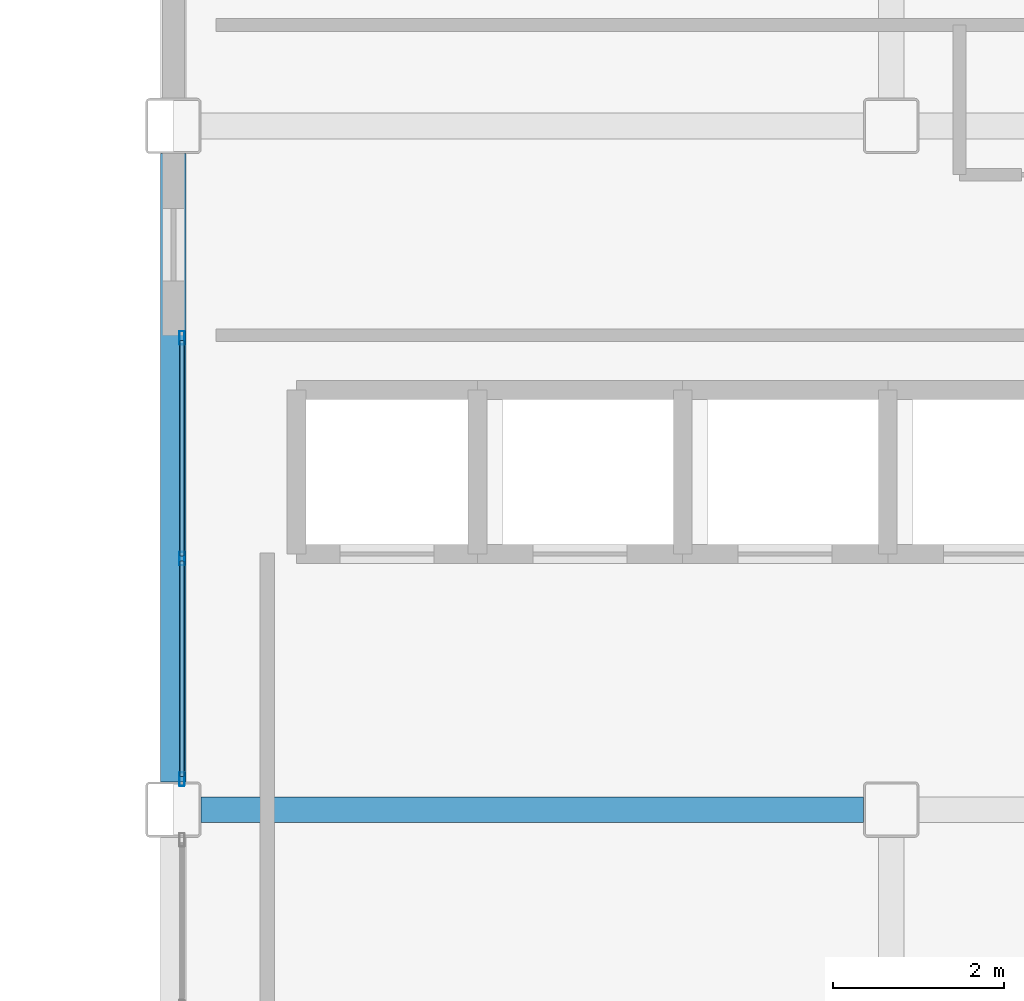
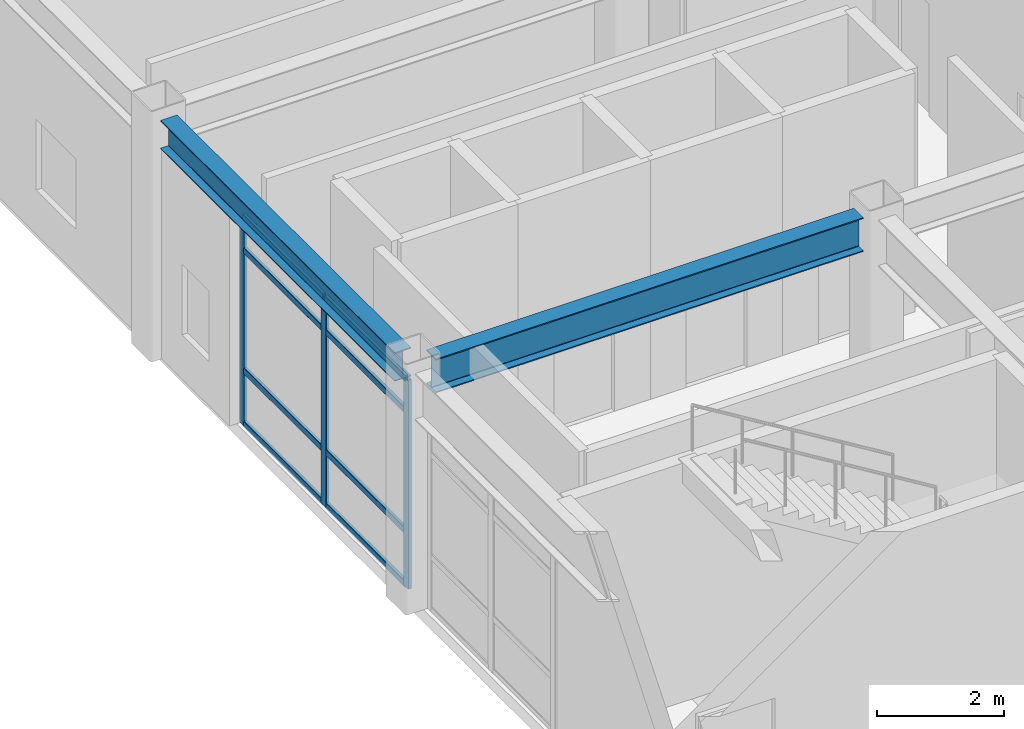
# One storey, part 29 of 61: 11 members, 2 beams, 1 element without a shape of its own.
"""IFC4 building model written with IfcOpenShell, lengths in metres."""

from ifc_helpers import new_model, si_unit, direction, frame, origin, origin_2d, place, context, subcontext, project, spatial, hollow_rectangle, i_section, extrude, material, layer, layer_set, material_profile, profile_set, type_object, element, aggregate, save


model = new_model("IFC4")

# Units and contexts
model_context = context("Model", 3, precision=1e-05, world=origin(), true_north=direction((0.0, 1.0)))
body_context = subcontext(model_context, "Body", "Model", "MODEL_VIEW")
ifc_project = project(units=[si_unit("LENGTHUNIT", "METRE"), si_unit("AREAUNIT", "SQUARE_METRE"), si_unit("VOLUMEUNIT", "CUBIC_METRE"), si_unit("PLANEANGLEUNIT", "RADIAN"), si_unit("MASSUNIT", "GRAM", prefix="KILO")], contexts=[model_context])

# Site, building, storey
site_placement = place(None, origin())
site = spatial("IfcSite", under=ifc_project, at=site_placement, CompositionType="ELEMENT")
building_placement = place(site_placement, origin())
building = spatial("IfcBuilding", under=site, at=building_placement, Name="Kazehara Bluff Congress Hotel", CompositionType="ELEMENT")
storey_placement = place(building_placement, frame((0.0, 0.0, 19.800048828125)))
storey = spatial("IfcBuildingStorey", under=building, at=storey_placement, Name="L04", CompositionType="ELEMENT", Elevation=19.800048828125)

# Curtain wall, members
ifc_material_1 = material(Name="Anodised aluminium", Category="aluminium")
ifc_layer = layer(ifc_material_1, 0.159912109375)
ifc_layer_set = layer_set([ifc_layer], Name="Anodised aluminium")
curtain_wall_type = type_object("IfcCurtainWallType", Name="TP-CW-170", PredefinedType="NOTDEFINED", material=ifc_layer_set)
curtain_wall_placement = place(storey_placement, origin())
curtain_wall = element("IfcCurtainWall", 1, at=curtain_wall_placement, inside=storey, type_object=curtain_wall_type, Name="L04 curtain wall CW-170 CW-ENC-V5-L04-14380-5939", PredefinedType="NOTDEFINED")
ifc_material_2 = material(Name="Anodised aluminium", Category="aluminium")
ifc_material_profile_1 = material_profile(ifc_material_2, hollow_rectangle(XDim=0.06005859375, YDim=0.159912109375, WallThickness=0.00390625, InnerFilletRadius=0.00390625, OuterFilletRadius=0.008056640625, at=origin_2d()))
ifc_profile_set_1 = profile_set([ifc_material_profile_1], Name="Anodised aluminium")
member_type_1 = type_object("IfcMemberType", Name="TP-CWM-01", PredefinedType="MULLION", material=ifc_profile_set_1)
member_1_placement = place(storey_placement, frame((143.800048828125, 56.804931640625, 0.0), z_axis=(0.0, 0.0, 1.0), x_axis=(-1.0, 0.0, 0.0)))
member_1 = element("IfcMember", 2, at=member_1_placement, type_object=member_type_1, Name="CW-170 mullion 1", PredefinedType="MULLION", context=body_context, shape_type="SweptSolid", body=[
    extrude(hollow_rectangle(XDim=0.06005859375, YDim=0.159912109375, WallThickness=0.00390625, InnerFilletRadius=0.00390625, OuterFilletRadius=0.008056640625, at=origin_2d()), origin(), (0.0, 0.0, 1.0), 4.0048828125),
])
member_2_placement = place(storey_placement, frame((143.800048828125, 59.387451171875, 0.0), z_axis=(0.0, 0.0, 1.0), x_axis=(-1.0, 0.0, 0.0)))
member_2 = element("IfcMember", 3, at=member_2_placement, type_object=member_type_1, Name="CW-170 mullion 2", PredefinedType="MULLION", context=body_context, shape_type="SweptSolid", body=[
    extrude(hollow_rectangle(XDim=0.06005859375, YDim=0.159912109375, WallThickness=0.00390625, InnerFilletRadius=0.00390625, OuterFilletRadius=0.008056640625, at=origin_2d()), origin(), (0.0, 0.0, 1.0), 4.0048828125),
])
member_3_placement = place(storey_placement, frame((143.800048828125, 61.969970703125, 0.0), z_axis=(0.0, 0.0, 1.0), x_axis=(-1.0, 0.0, 0.0)))
member_3 = element("IfcMember", 4, at=member_3_placement, type_object=member_type_1, Name="CW-170 mullion 3", PredefinedType="MULLION", context=body_context, shape_type="SweptSolid", body=[
    extrude(hollow_rectangle(XDim=0.06005859375, YDim=0.159912109375, WallThickness=0.00390625, InnerFilletRadius=0.00390625, OuterFilletRadius=0.008056640625, at=origin_2d()), origin(), (0.0, 0.0, 1.0), 4.0048828125),
])
ifc_material_3 = material(Name="Anodised aluminium", Category="aluminium")
ifc_material_profile_2 = material_profile(ifc_material_3, hollow_rectangle(XDim=0.06005859375, YDim=0.1201171875, WallThickness=0.00390625, InnerFilletRadius=0.00390625, OuterFilletRadius=0.008056640625, at=origin_2d()))
ifc_profile_set_2 = profile_set([ifc_material_profile_2], Name="Anodised aluminium")
member_type_2 = type_object("IfcMemberType", Name="TP-CWT-01", PredefinedType="USERDEFINED", material=ifc_profile_set_2)
member_4_placement = place(storey_placement, frame((143.800048828125, 56.8349609375, 0.030029296875), z_axis=(0.0, 1.0, 0.0), x_axis=(-1.0, 0.0, 0.0)))
member_4 = element("IfcMember", 5, at=member_4_placement, type_object=member_type_2, Name="CW-170 transom 1.1", ObjectType="TRANSOM", PredefinedType="USERDEFINED", context=body_context, shape_type="SweptSolid", body=[
    extrude(hollow_rectangle(XDim=0.06005859375, YDim=0.1201171875, WallThickness=0.00390625, InnerFilletRadius=0.00390625, OuterFilletRadius=0.008056640625, at=origin_2d()), origin(), (0.0, 0.0, 1.0), 2.5224609375),
])
member_5_placement = place(storey_placement, frame((143.800048828125, 56.8349609375, 1.050048828125), z_axis=(0.0, 1.0, 0.0), x_axis=(-1.0, 0.0, 0.0)))
member_5 = element("IfcMember", 6, at=member_5_placement, type_object=member_type_2, Name="CW-170 transom 1.2", ObjectType="TRANSOM", PredefinedType="USERDEFINED", context=body_context, shape_type="SweptSolid", body=[
    extrude(hollow_rectangle(XDim=0.06005859375, YDim=0.1201171875, WallThickness=0.00390625, InnerFilletRadius=0.00390625, OuterFilletRadius=0.008056640625, at=origin_2d()), origin(), (0.0, 0.0, 1.0), 2.5224609375),
])
member_6_placement = place(storey_placement, frame((143.800048828125, 56.8349609375, 3.35498046875), z_axis=(0.0, 1.0, 0.0), x_axis=(-1.0, 0.0, 0.0)))
member_6 = element("IfcMember", 7, at=member_6_placement, type_object=member_type_2, Name="CW-170 transom 1.3", ObjectType="TRANSOM", PredefinedType="USERDEFINED", context=body_context, shape_type="SweptSolid", body=[
    extrude(hollow_rectangle(XDim=0.06005859375, YDim=0.1201171875, WallThickness=0.00390625, InnerFilletRadius=0.00390625, OuterFilletRadius=0.008056640625, at=origin_2d()), origin(), (0.0, 0.0, 1.0), 2.5224609375),
])
member_7_placement = place(storey_placement, frame((143.800048828125, 56.8349609375, 3.974853515625), z_axis=(0.0, 1.0, 0.0), x_axis=(-1.0, 0.0, 0.0)))
member_7 = element("IfcMember", 8, at=member_7_placement, type_object=member_type_2, Name="CW-170 transom 1.4", ObjectType="TRANSOM", PredefinedType="USERDEFINED", context=body_context, shape_type="SweptSolid", body=[
    extrude(hollow_rectangle(XDim=0.06005859375, YDim=0.1201171875, WallThickness=0.00390625, InnerFilletRadius=0.00390625, OuterFilletRadius=0.008056640625, at=origin_2d()), origin(), (0.0, 0.0, 1.0), 2.5224609375),
])
member_8_placement = place(storey_placement, frame((143.800048828125, 59.41748046875, 0.030029296875), z_axis=(0.0, 1.0, 0.0), x_axis=(-1.0, 0.0, 0.0)))
member_8 = element("IfcMember", 9, at=member_8_placement, type_object=member_type_2, Name="CW-170 transom 2.1", ObjectType="TRANSOM", PredefinedType="USERDEFINED", context=body_context, shape_type="SweptSolid", body=[
    extrude(hollow_rectangle(XDim=0.06005859375, YDim=0.1201171875, WallThickness=0.00390625, InnerFilletRadius=0.00390625, OuterFilletRadius=0.008056640625, at=origin_2d()), origin(), (0.0, 0.0, 1.0), 2.5224609375),
])
member_9_placement = place(storey_placement, frame((143.800048828125, 59.41748046875, 1.050048828125), z_axis=(0.0, 1.0, 0.0), x_axis=(-1.0, 0.0, 0.0)))
member_9 = element("IfcMember", 10, at=member_9_placement, type_object=member_type_2, Name="CW-170 transom 2.2", ObjectType="TRANSOM", PredefinedType="USERDEFINED", context=body_context, shape_type="SweptSolid", body=[
    extrude(hollow_rectangle(XDim=0.06005859375, YDim=0.1201171875, WallThickness=0.00390625, InnerFilletRadius=0.00390625, OuterFilletRadius=0.008056640625, at=origin_2d()), origin(), (0.0, 0.0, 1.0), 2.5224609375),
])
member_10_placement = place(storey_placement, frame((143.800048828125, 59.41748046875, 3.35498046875), z_axis=(0.0, 1.0, 0.0), x_axis=(-1.0, 0.0, 0.0)))
member_10 = element("IfcMember", 11, at=member_10_placement, type_object=member_type_2, Name="CW-170 transom 2.3", ObjectType="TRANSOM", PredefinedType="USERDEFINED", context=body_context, shape_type="SweptSolid", body=[
    extrude(hollow_rectangle(XDim=0.06005859375, YDim=0.1201171875, WallThickness=0.00390625, InnerFilletRadius=0.00390625, OuterFilletRadius=0.008056640625, at=origin_2d()), origin(), (0.0, 0.0, 1.0), 2.5224609375),
])
member_11_placement = place(storey_placement, frame((143.800048828125, 59.41748046875, 3.974853515625), z_axis=(0.0, 1.0, 0.0), x_axis=(-1.0, 0.0, 0.0)))
member_11 = element("IfcMember", 12, at=member_11_placement, type_object=member_type_2, Name="CW-170 transom 2.4", ObjectType="TRANSOM", PredefinedType="USERDEFINED", context=body_context, shape_type="SweptSolid", body=[
    extrude(hollow_rectangle(XDim=0.06005859375, YDim=0.1201171875, WallThickness=0.00390625, InnerFilletRadius=0.00390625, OuterFilletRadius=0.008056640625, at=origin_2d()), origin(), (0.0, 0.0, 1.0), 2.5224609375),
])
aggregate(curtain_wall, [member_1, member_2, member_3, member_4, member_5, member_6, member_7, member_8, member_9, member_10, member_11])

# Beams
ifc_material_4 = material(Name="Steel SN490B", Category="steel")
ifc_material_profile_3 = material_profile(ifc_material_4, i_section(OverallWidth=0.300048828125, OverallDepth=0.64990234375, WebThickness=0.011962890625, FlangeThickness=0.02001953125, FilletRadius=0.012939453125, at=origin_2d()))
ifc_profile_set_3 = profile_set([ifc_material_profile_3], Name="Steel SN490B")
beam_type_1 = type_object("IfcBeamType", Name="TP-G-03", PredefinedType="BEAM", material=ifc_profile_set_3)
beam_1_placement = place(storey_placement, frame((144.02490234375, 56.449951171875, 4.2548828125), z_axis=(1.0, 0.0, 0.0), x_axis=(0.0, 1.0, 0.0)))
element("IfcBeam", 13, at=beam_1_placement, inside=storey, type_object=beam_type_1, Name="L04 girder G-03 97", PredefinedType="BEAM", context=body_context, shape_type="SweptSolid", body=[
    extrude(i_section(OverallWidth=0.300048828125, OverallDepth=0.64990234375, WebThickness=0.011962890625, FlangeThickness=0.02001953125, FilletRadius=0.012939453125, at=origin_2d()), origin(), (0.0, 0.0, 1.0), 7.75),
])
ifc_material_5 = material(Name="Steel SN490B", Category="steel")
ifc_material_profile_4 = material_profile(ifc_material_5, i_section(OverallWidth=0.300048828125, OverallDepth=0.550048828125, WebThickness=0.010986328125, FlangeThickness=0.01806640625, FilletRadius=0.012939453125, at=origin_2d()))
ifc_profile_set_4 = profile_set([ifc_material_profile_4], Name="Steel SN490B")
beam_type_2 = type_object("IfcBeamType", Name="TP-SP-01", PredefinedType="SPANDREL", material=ifc_profile_set_4)
beam_2_placement = place(storey_placement, frame((143.699951171875, 56.77490234375, 4.304931640625), z_axis=(0.0, 1.0, 0.0), x_axis=(-1.0, 0.0, 0.0)))
element("IfcBeam", 14, at=beam_2_placement, inside=storey, type_object=beam_type_2, Name="L04 girder SP-01 37", PredefinedType="SPANDREL", context=body_context, shape_type="SweptSolid", body=[
    extrude(i_section(OverallWidth=0.300048828125, OverallDepth=0.550048828125, WebThickness=0.010986328125, FlangeThickness=0.01806640625, FilletRadius=0.012939453125, at=origin_2d()), origin(), (0.0, 0.0, 1.0), 7.35009765625),
])

save(model, "model.ifc")
